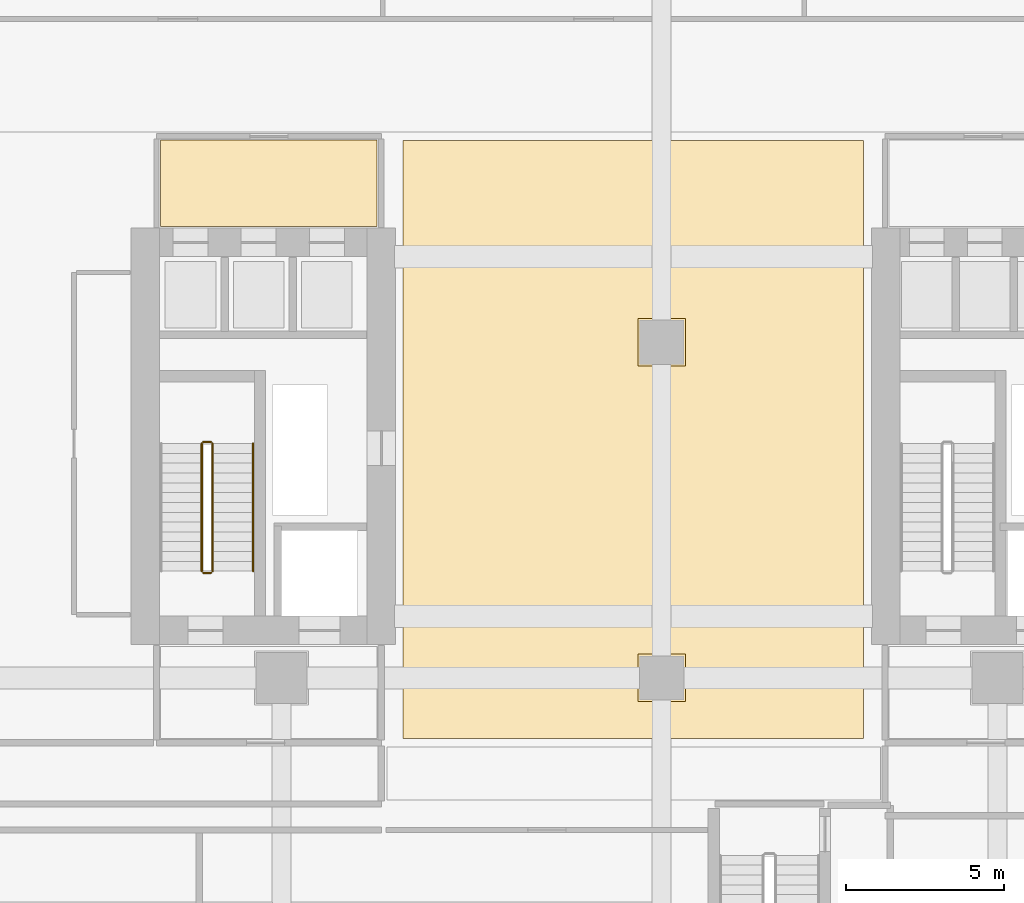
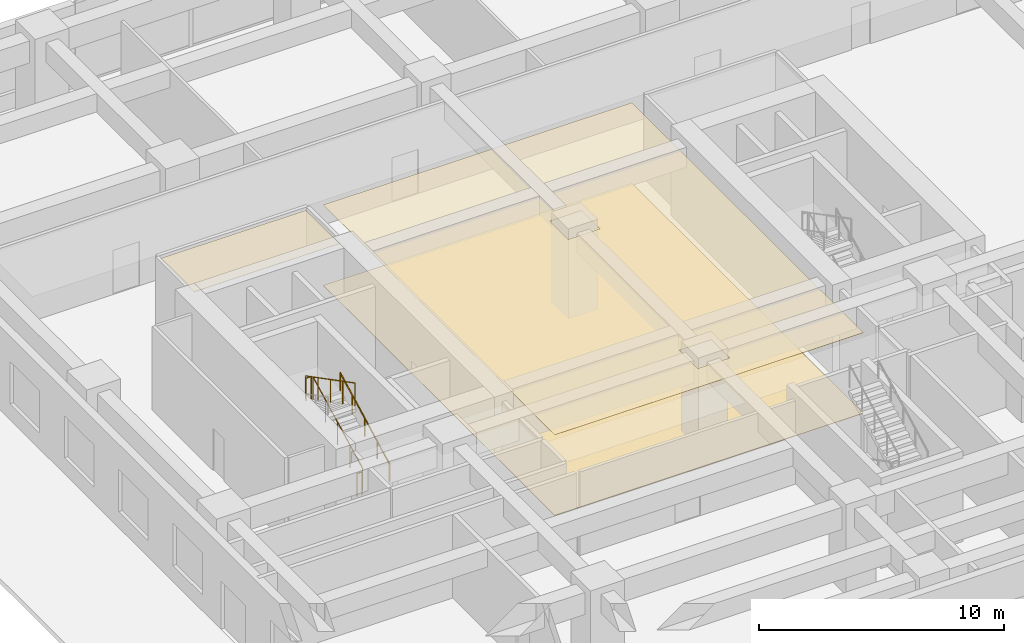
# One storey, part 33 of 39: 5 railings, 3 coverings.
"""IFC4 building model written with IfcOpenShell, lengths in metres."""

import ifcopenshell
import ifcopenshell.guid

model = None  # the IFC model being written
_history = None  # IfcOwnerHistory: only IFC2X3 demands one
_inside = {}  # id of a spatial element -> (the spatial element, [elements in it])
_under = {}  # id of a project, library or spatial element -> (it, [spatial elements below it])
_declared = {}  # id of a project -> (the project, [libraries it declares])
_typed = {}  # id of a type object -> (the type object, [elements of that type])
_made_of = {}  # id of a material, layer set ... -> (it, [elements and type objects made of it])


def new_model(schema):
    """Start an empty IFC model of exactly this schema.

    Asked for "IFC4X3", IfcOpenShell would pick the latest addendum, in which some entities
    have other attributes; the version numbers below select the first issue.
    IFC2X3 requires an IfcOwnerHistory on every rooted entity: one is made here for all.
    """
    global model, _history
    if schema == "IFC4X3":
        model = ifcopenshell.file(schema_version=(4, 3, 0, 0))
    else:
        model = ifcopenshell.file(schema=schema)
    _inside.clear()
    _under.clear()
    _declared.clear()
    _typed.clear()
    _made_of.clear()
    _history = None
    if model.schema == "IFC2X3":
        org = make("IfcOrganization", Name="unknown")
        user = make(
            "IfcPersonAndOrganization",
            ThePerson=make("IfcPerson", FamilyName="unknown"),
            TheOrganization=org,
        )
        app = make(
            "IfcApplication",
            ApplicationDeveloper=org,
            Version="unknown",
            ApplicationFullName="unknown",
            ApplicationIdentifier="unknown",
        )
        _history = make(
            "IfcOwnerHistory",
            OwningUser=user,
            OwningApplication=app,
            ChangeAction="ADDED",
            CreationDate=0,
        )
    return model


def make(cls, **values):
    """One entity of the class cls with the attributes given. An attribute that is None is left unset."""
    return model.create_entity(
        cls, **{name: value for name, value in values.items() if value is not None}
    )


def rooted(cls, **values):
    """An entity with a GlobalId (a new one), such as an element, a storey or a relation."""
    return make(cls, GlobalId=ifcopenshell.guid.new(), OwnerHistory=_history, **values)


def si_unit(unit_type, name, prefix=None):
    """IfcSIUnit, for example si_unit("LENGTHUNIT", "METRE", prefix="MILLI")."""
    return make("IfcSIUnit", UnitType=unit_type, Prefix=prefix, Name=name)


def assignment(units):
    """IfcUnitAssignment: the units of a project."""
    return None if units is None else make("IfcUnitAssignment", Units=units)


def point(xyz):
    """IfcCartesianPoint."""
    return None if xyz is None else make("IfcCartesianPoint", Coordinates=xyz)


def direction(xyz):
    """IfcDirection."""
    return None if xyz is None else make("IfcDirection", DirectionRatios=xyz)


def frame(location, z_axis=None, x_axis=None):
    """IfcAxis2Placement3D, a coordinate frame: its origin and axes. An axis left out is left unset."""
    return make(
        "IfcAxis2Placement3D",
        Location=point(location),
        Axis=direction(z_axis),
        RefDirection=direction(x_axis),
    )


def frame_2d(location, x_axis=None):
    """IfcAxis2Placement2D, a coordinate frame in the plane: its origin and x axis."""
    return make(
        "IfcAxis2Placement2D", Location=point(location), RefDirection=direction(x_axis)
    )


def origin():
    """The frame at (0, 0, 0) with its axes left unset."""
    return frame((0.0, 0.0, 0.0))


def origin_2d():
    """The frame at (0, 0) in the plane with its x axis left unset."""
    return frame_2d((0.0, 0.0))


def place(relative_to, where):
    """IfcLocalPlacement: puts the frame where relative to a parent placement (None: the world)."""
    return make(
        "IfcLocalPlacement", PlacementRelTo=relative_to, RelativePlacement=where
    )


def context(
    kind, dimensions, precision=None, world=None, true_north=None, identifier=None
):
    """IfcGeometricRepresentationContext, for example the 3D "Model" context."""
    return make(
        "IfcGeometricRepresentationContext",
        ContextIdentifier=identifier,
        ContextType=kind,
        CoordinateSpaceDimension=dimensions,
        Precision=precision,
        WorldCoordinateSystem=world,
        TrueNorth=true_north,
    )


def subcontext(parent, identifier, kind, view, scale=None):
    """IfcGeometricRepresentationSubContext, for example "Body" below "Model"."""
    return make(
        "IfcGeometricRepresentationSubContext",
        ContextIdentifier=identifier,
        ContextType=kind,
        ParentContext=parent,
        TargetScale=scale,
        TargetView=view,
    )


def project(units=None, contexts=None):
    """IfcProject with its units and contexts."""
    return rooted(
        "IfcProject",
        Name="project",
        RepresentationContexts=contexts,
        UnitsInContext=assignment(units),
    )


def spatial(cls, under=None, at=None, **own):
    """A site, building, storey or space (cls), placed at a placement, below another one or the project."""
    s = rooted(cls, ObjectPlacement=at, **own)
    if under is not None:
        _under.setdefault(under.id(), (under, []))[1].append(s)
    return s


def polyline(points):
    """IfcPolyline through the points."""
    return make("IfcPolyline", Points=[point(p) for p in points])


def profile(cls, at=None, kind="AREA", **sizes):
    """A parametric profile (cls). Its sizes go by their IFC names, for example OverallWidth=200.0."""
    return make(cls, ProfileType=kind, Position=at, **sizes)


def circle(**sizes):
    """IfcCircleProfileDef."""
    return profile("IfcCircleProfileDef", **sizes)


def outline(outer, holes=None, kind="AREA"):
    """IfcArbitraryClosedProfileDef: a profile drawn as a closed curve; with holes, ...WithVoids."""
    if holes is None:
        return make("IfcArbitraryClosedProfileDef", ProfileType=kind, OuterCurve=outer)
    return make(
        "IfcArbitraryProfileDefWithVoids",
        ProfileType=kind,
        OuterCurve=outer,
        InnerCurves=holes,
    )


def extrude(swept, where, along, depth):
    """IfcExtrudedAreaSolid: the profile swept, set in the frame where, extruded along a direction by depth."""
    return make(
        "IfcExtrudedAreaSolid",
        SweptArea=swept,
        Position=where,
        ExtrudedDirection=direction(along),
        Depth=depth,
    )


def shape(context_of_items, identifier, shape_type, items):
    """IfcShapeRepresentation: the items that make up one representation, for example the "Body"."""
    return make(
        "IfcShapeRepresentation",
        ContextOfItems=context_of_items,
        RepresentationIdentifier=identifier,
        RepresentationType=shape_type,
        Items=items,
    )


def material(Name=None, Category=None):
    """IfcMaterial."""
    return make("IfcMaterial", Name=Name, Category=Category)


def layer(
    of_material, thickness, ventilated=None, Name=None, Category=None, Priority=None
):
    """IfcMaterialLayer: one layer of a wall or slab, of a material (None: an air gap)."""
    return make(
        "IfcMaterialLayer",
        Material=of_material,
        LayerThickness=thickness,
        IsVentilated=ventilated,
        Name=Name,
        Category=Category,
        Priority=Priority,
    )


def layer_set(layers, Name=None):
    """IfcMaterialLayerSet."""
    return make("IfcMaterialLayerSet", MaterialLayers=layers, LayerSetName=Name)


def made_of(thing, what):
    """Note that an element or type object is made of a material, layer set ...; save() writes the relation."""
    if what is not None:
        _made_of.setdefault(what.id(), (what, []))[1].append(thing)
    return thing


def type_object(cls, material=None, **own):
    """A type object (cls), such as IfcWallType, which elements share."""
    return made_of(rooted(cls, **own), material)


def element(
    cls,
    number,
    at=None,
    inside=None,
    cuts=None,
    type_object=None,
    material=None,
    context=None,
    identifier="Body",
    shape_type=None,
    held_by="IfcProductDefinitionShape",
    body=None,
    shapes=None,
    **own,
):
    """One element of the class cls, such as IfcWall. Its Tag is "e" and its number.

    at: its placement. inside: the storey or other place that contains it. cuts: it is an
    opening in that element (IfcRelVoidsElement). A single representation is given by context,
    identifier, shape_type and body (its items); several are given by shapes. held_by: the class
    of the entity that holds the representations. save() writes the other relations.
    """
    e = rooted(cls, Tag="e%d" % number, ObjectPlacement=at, **own)
    if body is not None:
        shapes = [shape(context, identifier, shape_type, body)]
    if shapes is not None:
        e.Representation = make(held_by, Representations=shapes)
    if inside is not None:
        _inside.setdefault(inside.id(), (inside, []))[1].append(e)
    if cuts is not None:
        rooted(
            "IfcRelVoidsElement", RelatingBuildingElement=cuts, RelatedOpeningElement=e
        )
    if type_object is not None:
        _typed.setdefault(type_object.id(), (type_object, []))[1].append(e)
    return made_of(e, material)


def aggregate(whole, parts):
    """IfcRelAggregates: a whole, such as a stair, and the parts it consists of."""
    return rooted("IfcRelAggregates", RelatingObject=whole, RelatedObjects=parts)


def save(model, path):
    """Write the relations noted so far, then the file.

    IfcRelAggregates (storeys below a building ...), IfcRelContainedInSpatialStructure (elements
    in a storey), IfcRelDefinesByType, IfcRelAssociatesMaterial and IfcRelDeclares: one each for
    every whole, place, type object, material and project.
    """
    for whole, parts in _under.values():
        aggregate(whole, parts)
    for where, things in _inside.values():
        rooted(
            "IfcRelContainedInSpatialStructure",
            RelatedElements=things,
            RelatingStructure=where,
        )
    for kind, things in _typed.values():
        rooted("IfcRelDefinesByType", RelatedObjects=things, RelatingType=kind)
    for what, things in _made_of.values():
        rooted("IfcRelAssociatesMaterial", RelatedObjects=things, RelatingMaterial=what)
    for by, libraries in _declared.values():
        rooted("IfcRelDeclares", RelatingContext=by, RelatedDefinitions=libraries)
    model.write(path)


model = new_model("IFC4")

# Units and contexts
model_context = context("Model", 3, precision=1e-05, world=origin(), true_north=direction((0.0, 1.0)))
body_context = subcontext(model_context, "Body", "Model", "MODEL_VIEW")
ifc_project = project(units=[si_unit("LENGTHUNIT", "METRE"), si_unit("AREAUNIT", "SQUARE_METRE"), si_unit("VOLUMEUNIT", "CUBIC_METRE"), si_unit("PLANEANGLEUNIT", "RADIAN"), si_unit("MASSUNIT", "GRAM", prefix="KILO")], contexts=[model_context])

# Site, building, storey
site_placement = place(None, origin())
site = spatial("IfcSite", under=ifc_project, at=site_placement, CompositionType="ELEMENT")
building_placement = place(site_placement, origin())
building = spatial("IfcBuilding", under=site, at=building_placement, Name="Khoralis Quay Care Tower", CompositionType="ELEMENT")
storey_placement = place(building_placement, origin())
storey = spatial("IfcBuildingStorey", under=building, at=storey_placement, Name="L00", CompositionType="ELEMENT", Elevation=0.0)

# Coverings
ifc_material_1 = material(Name="Mineral-fibre acoustic ceiling tile")
ifc_layer_1 = layer(ifc_material_1, 0.01806640625)
ifc_layer_set_1 = layer_set([ifc_layer_1], Name="Mineral-fibre acoustic ceiling tile")
covering_type_1 = type_object("IfcCoveringType", Name="COV-CEIL-AC18", PredefinedType="CEILING", material=ifc_layer_set_1)
covering_1_placement = place(storey_placement, frame((0.0, 0.0, 4.011962890625)))
element("IfcCovering", 1, at=covering_1_placement, inside=storey, type_object=covering_type_1, Name="Suspended Acoustic Ceiling SP-L00-LLOB-W", PredefinedType="CEILING", context=body_context, shape_type="SweptSolid", body=[
    extrude(outline(polyline([(8.179931640625, 27.64990234375), (15.02001953125, 27.64990234375), (15.02001953125, 30.389892578125), (8.179931640625, 30.389892578125), (8.179931640625, 27.64990234375)])), origin(), (0.0, 0.0, 1.0), 0.01806640625),
])
covering_2_placement = place(storey_placement, frame((0.0, 0.0, 4.011962890625)))
element("IfcCovering", 2, at=covering_2_placement, inside=storey, type_object=covering_type_1, Name="Suspended Acoustic Ceiling SP-L00-PCORR-C", PredefinedType="CEILING", context=body_context, shape_type="SweptSolid", body=[
    extrude(outline(polyline([(15.830078125, 11.47998046875), (30.3701171875, 11.47998046875), (30.3701171875, 30.3701171875), (15.830078125, 30.3701171875), (15.830078125, 11.47998046875)]), holes=[polyline([(23.25, 12.64990234375), (24.75, 12.64990234375), (24.75, 14.14990234375), (23.25, 14.14990234375), (23.25, 12.64990234375)]), polyline([(23.25, 23.25), (24.75, 23.25), (24.75, 24.75), (23.25, 24.75), (23.25, 23.25)])]), origin(), (0.0, 0.0, 1.0), 0.01806640625),
])
ifc_material_2 = material(Name="Porcelain and non-slip vinyl flooring")
ifc_layer_2 = layer(ifc_material_2, 0.02001953125)
ifc_layer_set_2 = layer_set([ifc_layer_2], Name="Porcelain and non-slip vinyl flooring")
covering_type_2 = type_object("IfcCoveringType", Name="COV-FLOOR-20", PredefinedType="FLOORING", material=ifc_layer_set_2)
covering_3_placement = place(storey_placement, origin())
element("IfcCovering", 3, at=covering_3_placement, inside=storey, type_object=covering_type_2, Name="Resilient Healthcare Flooring SP-L00-PCORR-C", PredefinedType="FLOORING", context=body_context, shape_type="SweptSolid", body=[
    extrude(outline(polyline([(15.830078125, 11.47998046875), (30.3701171875, 11.47998046875), (30.3701171875, 30.3701171875), (15.830078125, 30.3701171875), (15.830078125, 11.47998046875)])), origin(), (0.0, 0.0, 1.0), 0.02001953125),
])

# Railings
ifc_material_3 = material(Name="Brushed stainless steel", Category="steel")
railing_type_1 = type_object("IfcRailingType", Name="RL-GUARD-1150", PredefinedType="GUARDRAIL", material=ifc_material_3)
railing_1_placement = place(storey_placement, frame((9.820068359375, 16.77001953125, 0.16064453125)))
element("IfcRailing", 4, at=railing_1_placement, inside=storey, type_object=railing_type_1, Name="L00 ST-T1 stair guard 1", PredefinedType="GUARDRAIL", context=body_context, shape_type="SweptSolid", body=[
    extrude(circle(Radius=0.02392578125, at=origin_2d()), frame((0.0, 0.0, 1.1259765625), z_axis=(0.0, 0.887780577991, 0.46026692836), x_axis=(-1.0, 0.0, 0.0)), (0.0, 0.0, 1.0), 4.53955078125),
    extrude(circle(Radius=0.02099609375, at=origin_2d()), origin(), (0.0, 0.0, 1.0), 1.101806640625),
    extrude(circle(Radius=0.02099609375, at=origin_2d()), frame((0.0, 1.007568359375, 0.5224609375)), (0.0, 0.0, 1.0), 1.101806640625),
    extrude(circle(Radius=0.02099609375, at=origin_2d()), frame((0.0, 2.01513671875, 1.044677734375)), (0.0, 0.0, 1.0), 1.101806640625),
    extrude(circle(Radius=0.02099609375, at=origin_2d()), frame((0.0, 3.0224609375, 1.56689453125)), (0.0, 0.0, 1.0), 1.101806640625),
    extrude(circle(Radius=0.02099609375, at=origin_2d()), frame((0.0, 4.030029296875, 2.08935546875)), (0.0, 0.0, 1.0), 1.101806640625),
])
railing_2_placement = place(storey_placement, frame((9.77001953125, 20.85009765625, 2.25)))
element("IfcRailing", 5, at=railing_2_placement, inside=storey, type_object=railing_type_1, Name="L00 ST-T1 stair guard 2", PredefinedType="GUARDRAIL", context=body_context, shape_type="SweptSolid", body=[
    extrude(circle(Radius=0.02392578125, at=origin_2d()), frame((0.0, 0.0, 1.1259765625), z_axis=(-1.0, 0.0, 0.0), x_axis=(0.0, -1.0, 0.0)), (0.0, 0.0, 1.0), 0.239990234375),
    extrude(circle(Radius=0.02099609375, at=origin_2d()), origin(), (0.0, 0.0, 1.0), 1.101806640625),
    extrude(circle(Radius=0.02099609375, at=origin_2d()), frame((-0.239990234375, 0.0, 0.0)), (0.0, 0.0, 1.0), 1.101806640625),
])
railing_3_placement = place(storey_placement, frame((9.47998046875, 20.800048828125, 2.41064453125)))
element("IfcRailing", 6, at=railing_3_placement, inside=storey, type_object=railing_type_1, Name="L00 ST-T1 stair guard 3", PredefinedType="GUARDRAIL", context=body_context, shape_type="SweptSolid", body=[
    extrude(circle(Radius=0.02392578125, at=origin_2d()), frame((0.0, 0.0, 1.1259765625), z_axis=(0.0, -0.887780577991, 0.46026692836), x_axis=(1.0, 0.0, 0.0)), (0.0, 0.0, 1.0), 4.53955078125),
    extrude(circle(Radius=0.02099609375, at=origin_2d()), origin(), (0.0, 0.0, 1.0), 1.101806640625),
    extrude(circle(Radius=0.02099609375, at=origin_2d()), frame((0.0, -1.007568359375, 0.5224609375)), (0.0, 0.0, 1.0), 1.101806640625),
    extrude(circle(Radius=0.02099609375, at=origin_2d()), frame((0.0, -2.01513671875, 1.044677734375)), (0.0, 0.0, 1.0), 1.101806640625),
    extrude(circle(Radius=0.02099609375, at=origin_2d()), frame((0.0, -3.0224609375, 1.56689453125)), (0.0, 0.0, 1.0), 1.101806640625),
    extrude(circle(Radius=0.02099609375, at=origin_2d()), frame((0.0, -4.030029296875, 2.08935546875)), (0.0, 0.0, 1.0), 1.101806640625),
])
railing_4_placement = place(storey_placement, frame((9.77001953125, 16.719970703125, 0.0)))
element("IfcRailing", 7, at=railing_4_placement, inside=storey, type_object=railing_type_1, Name="L00 ST-T1 stair guard 4", PredefinedType="GUARDRAIL", context=body_context, shape_type="SweptSolid", body=[
    extrude(circle(Radius=0.02392578125, at=origin_2d()), frame((0.0, 0.0, 1.1259765625), z_axis=(-1.0, 0.0, 0.0), x_axis=(0.0, -1.0, 0.0)), (0.0, 0.0, 1.0), 0.239990234375),
    extrude(circle(Radius=0.02099609375, at=origin_2d()), origin(), (0.0, 0.0, 1.0), 1.101806640625),
    extrude(circle(Radius=0.02099609375, at=origin_2d()), frame((-0.239990234375, 0.0, 0.0)), (0.0, 0.0, 1.0), 1.101806640625),
])
railing_type_2 = type_object("IfcRailingType", Name="RL-HAND-900", PredefinedType="HANDRAIL", material=ifc_material_3)
railing_5_placement = place(storey_placement, frame((11.10009765625, 16.77001953125, 0.16064453125)))
element("IfcRailing", 8, at=railing_5_placement, inside=storey, type_object=railing_type_2, Name="L00 ST-T1 stair handrail 1", PredefinedType="HANDRAIL", context=body_context, shape_type="SweptSolid", body=[
    extrude(circle(Radius=0.02392578125, at=origin_2d()), frame((0.0, 0.0, 0.8759765625), z_axis=(0.0, 0.887780577991, 0.46026692836), x_axis=(-1.0, 0.0, 0.0)), (0.0, 0.0, 1.0), 4.53955078125),
    extrude(circle(Radius=0.02099609375, at=origin_2d()), origin(), (0.0, 0.0, 1.0), 0.851806640625),
    extrude(circle(Radius=0.02099609375, at=origin_2d()), frame((0.0, 1.007568359375, 0.5224609375)), (0.0, 0.0, 1.0), 0.851806640625),
    extrude(circle(Radius=0.02099609375, at=origin_2d()), frame((0.0, 2.01513671875, 1.044677734375)), (0.0, 0.0, 1.0), 0.851806640625),
    extrude(circle(Radius=0.02099609375, at=origin_2d()), frame((0.0, 3.0224609375, 1.56689453125)), (0.0, 0.0, 1.0), 0.851806640625),
    extrude(circle(Radius=0.02099609375, at=origin_2d()), frame((0.0, 4.030029296875, 2.08935546875)), (0.0, 0.0, 1.0), 0.851806640625),
])

save(model, "model.ifc")
